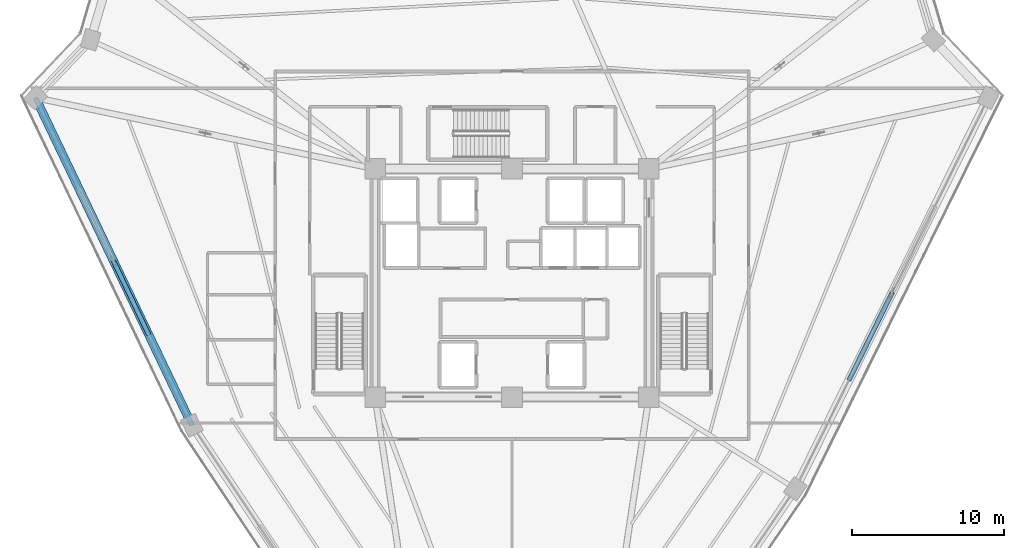
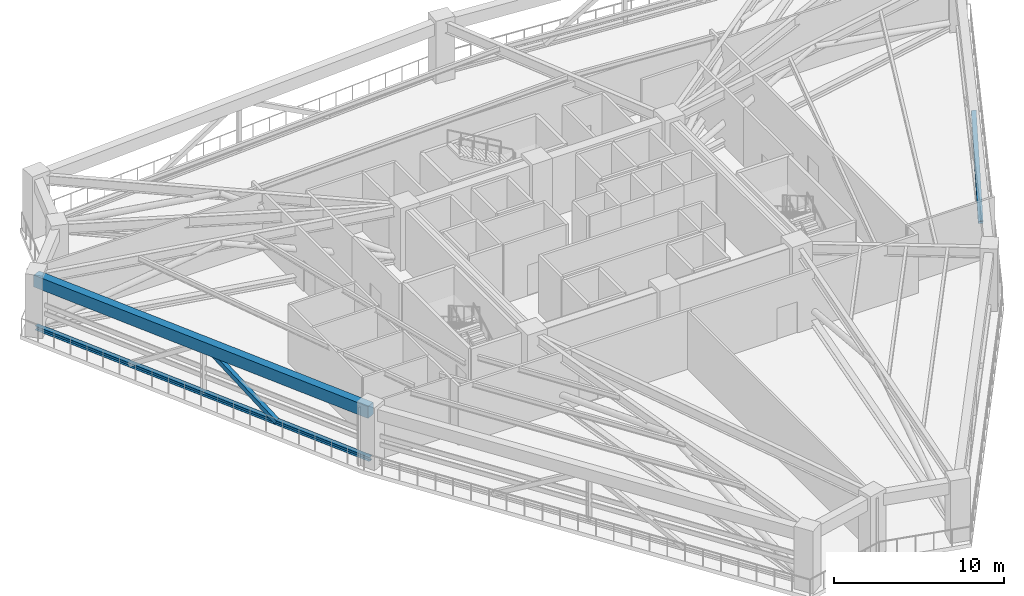
# One storey, part 4 of 22: 3 members, 1 beam.
"""IFC4 building model written with IfcOpenShell, lengths in metres."""

from ifc_helpers import new_model, si_unit, direction, frame, origin, origin_2d, place, context, subcontext, project, spatial, rectangle, hollow_rectangle, i_section, extrude, source, transform, mapped, material, material_profile, profile_set, type_object, element, save


model = new_model("IFC4")

# Units and contexts
model_context = context("Model", 3, precision=1e-05, world=origin(), true_north=direction((0.0, 1.0)))
body_context = subcontext(model_context, "Body", "Model", "MODEL_VIEW")
ifc_project = project(units=[si_unit("LENGTHUNIT", "METRE"), si_unit("AREAUNIT", "SQUARE_METRE"), si_unit("VOLUMEUNIT", "CUBIC_METRE"), si_unit("PLANEANGLEUNIT", "RADIAN"), si_unit("MASSUNIT", "GRAM", prefix="KILO")], contexts=[model_context])

# Site, building, storey
site_placement = place(None, origin())
site = spatial("IfcSite", under=ifc_project, at=site_placement, CompositionType="ELEMENT")
building_placement = place(site_placement, origin())
building = spatial("IfcBuilding", under=site, at=building_placement, Name="Liaohun Quay Tower", CompositionType="ELEMENT")
storey_placement = place(building_placement, frame((0.0, 0.0, 277.5)))
storey = spatial("IfcBuildingStorey", under=building, at=storey_placement, Name="L72", CompositionType="ELEMENT", Elevation=277.5)

# Beam
ifc_material_1 = material(Name="Precast concrete C50", Category="concrete")
ifc_material_profile_1 = material_profile(ifc_material_1, rectangle(XDim=0.550048828125, YDim=0.85009765625, at=origin_2d()), Name="RC550x850")
ifc_profile_set_1 = profile_set([ifc_material_profile_1], Name="Precast concrete C50")
beam_type = type_object("IfcBeamType", Name="BM-SPD-Z3", PredefinedType="SPANDREL", material=ifc_profile_set_1)
shared_shape_1 = source(origin(), body_context, "Body", "SweptSolid", [
    extrude(rectangle(XDim=0.550048828125, YDim=0.85009765625, at=origin_2d()), origin(), (0.0, 0.0, 1.0), 23.87158203125),
])
beam_placement = place(storey_placement, frame((38.964111328125, 44.638916015625, 3.794921875), z_axis=(-0.431055933445, 0.902325208693, 0.0), x_axis=(-0.902325208693, -0.431055933445, 0.0)))
element("IfcBeam", 1, at=beam_placement, inside=storey, type_object=beam_type, Name="L72 Precast Spandrel Beam PC02-PC03", PredefinedType="SPANDREL", context=body_context, shape_type="MappedRepresentation", body=[
    mapped(shared_shape_1, transform((0.0, 0.0, 0.0), x_axis=(1.0, 0.0, 0.0), y_axis=(0.0, 1.0, 0.0), z_axis=(0.0, 0.0, 1.0), scale=1.0)),
])

# Members
ifc_material_2 = material(Name="Steel Q355D", Category="steel")
ifc_material_profile_2 = material_profile(ifc_material_2, hollow_rectangle(XDim=0.300048828125, YDim=0.300048828125, WallThickness=0.013916015625, at=origin_2d()), Name="SHS300x300x14")
ifc_profile_set_2 = profile_set([ifc_material_profile_2], Name="Steel Q355D")
member_type_1 = type_object("IfcMemberType", Name="MEM-BLT-DG3", PredefinedType="BRACE", material=ifc_profile_set_2)
shared_shape_2 = source(origin(), body_context, "Body", "SweptSolid", [
    extrude(hollow_rectangle(XDim=0.300048828125, YDim=0.300048828125, WallThickness=0.013916015625, at=origin_2d()), origin(), (0.0, 0.0, 1.0), 7.250732421875),
])
member_1_placement = place(storey_placement, frame((84.971923828125, 53.323974609375, 3.919921875), z_axis=(-0.385062189276, -0.780596076774, -0.492338171703), x_axis=(0.896820414448, -0.44239478323, 0.0)))
element("IfcMember", 2, at=member_1_placement, inside=storey, type_object=member_type_1, Name="L72 Belt Truss Diagonal BD-05B", PredefinedType="BRACE", context=body_context, shape_type="MappedRepresentation", body=[
    mapped(shared_shape_2, transform((0.0, 0.0, 0.0), x_axis=(1.0, 0.0, 0.0), y_axis=(0.0, 1.0, 0.0), z_axis=(0.0, 0.0, 1.0), scale=1.0)),
])
ifc_material_profile_3 = material_profile(ifc_material_2, i_section(OverallWidth=0.300048828125, OverallDepth=0.300048828125, WebThickness=0.010009765625, FlangeThickness=0.014892578125, at=origin_2d()), Name="HW300x300x10x15")
ifc_profile_set_3 = profile_set([ifc_material_profile_3], Name="Steel Q355D")
member_type_2 = type_object("IfcMemberType", Name="MEM-BLT-CHD", PredefinedType="CHORD", material=ifc_profile_set_3)
shared_shape_3 = source(origin(), body_context, "Body", "SweptSolid", [
    extrude(i_section(OverallWidth=0.300048828125, OverallDepth=0.300048828125, WebThickness=0.010009765625, FlangeThickness=0.014892578125, at=origin_2d()), origin(), (0.0, 0.0, 1.0), 23.87158203125),
])
member_2_placement = place(storey_placement, frame((38.964111328125, 44.638916015625, 0.35009765625), z_axis=(-0.431055933445, 0.902325208693, 0.0), x_axis=(-0.902325208693, -0.431055933445, 0.0)))
element("IfcMember", 3, at=member_2_placement, inside=storey, type_object=member_type_2, Name="L72 Belt Truss Bottom Chord BC-1-02", PredefinedType="CHORD", context=body_context, shape_type="MappedRepresentation", body=[
    mapped(shared_shape_3, transform((0.0, 0.0, 0.0), x_axis=(1.0, 0.0, 0.0), y_axis=(0.0, 1.0, 0.0), z_axis=(0.0, 0.0, 1.0), scale=1.0)),
])
shared_shape_4 = source(origin(), body_context, "Body", "SweptSolid", [
    extrude(hollow_rectangle(XDim=0.300048828125, YDim=0.300048828125, WallThickness=0.013916015625, at=origin_2d()), origin(), (0.0, 0.0, 1.0), 6.350341796875),
])
member_3_placement = place(storey_placement, frame((36.0830078125, 50.669921875, 0.35009765625), z_axis=(-0.356501381072, 0.74625777073, 0.562144202958), x_axis=(-0.902324508651, -0.431057398832, 0.0)))
element("IfcMember", 4, at=member_3_placement, inside=storey, type_object=member_type_1, Name="L72 Belt Truss Diagonal BD-02A", PredefinedType="BRACE", context=body_context, shape_type="MappedRepresentation", body=[
    mapped(shared_shape_4, transform((0.0, 0.0, 0.0), x_axis=(1.0, 0.0, 0.0), y_axis=(0.0, 1.0, 0.0), z_axis=(0.0, 0.0, 1.0), scale=1.0)),
])

save(model, "model.ifc")
